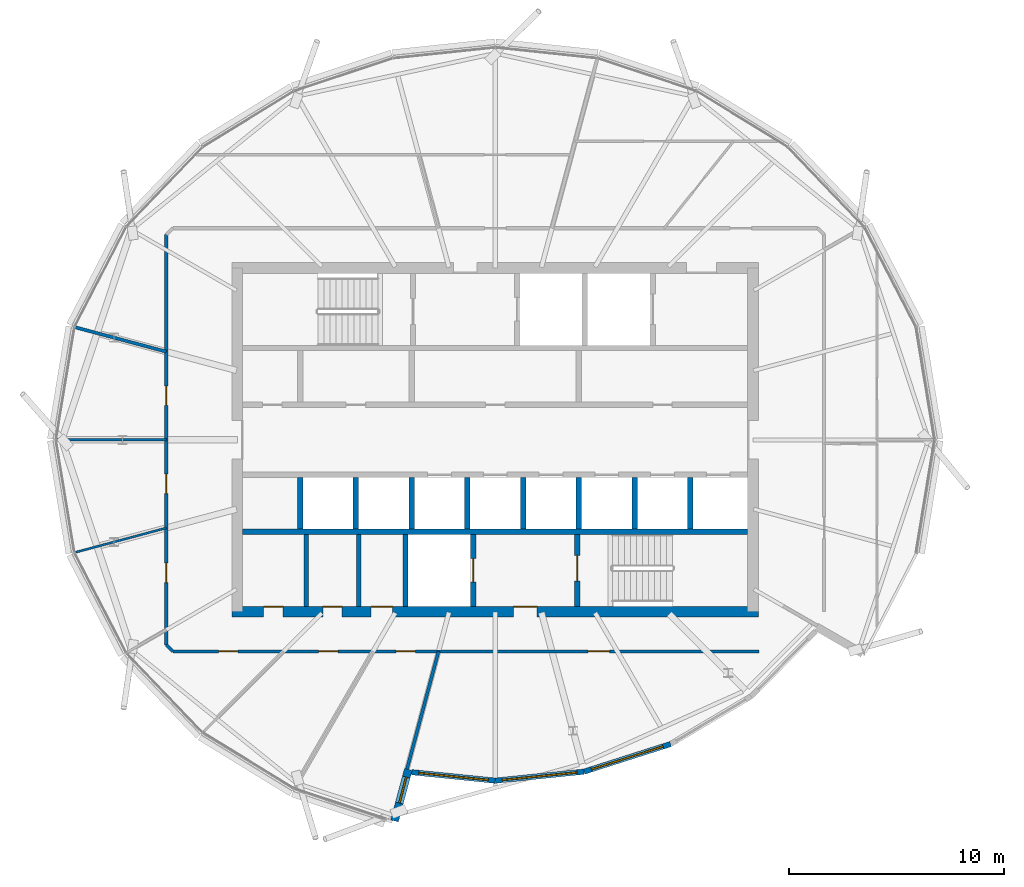
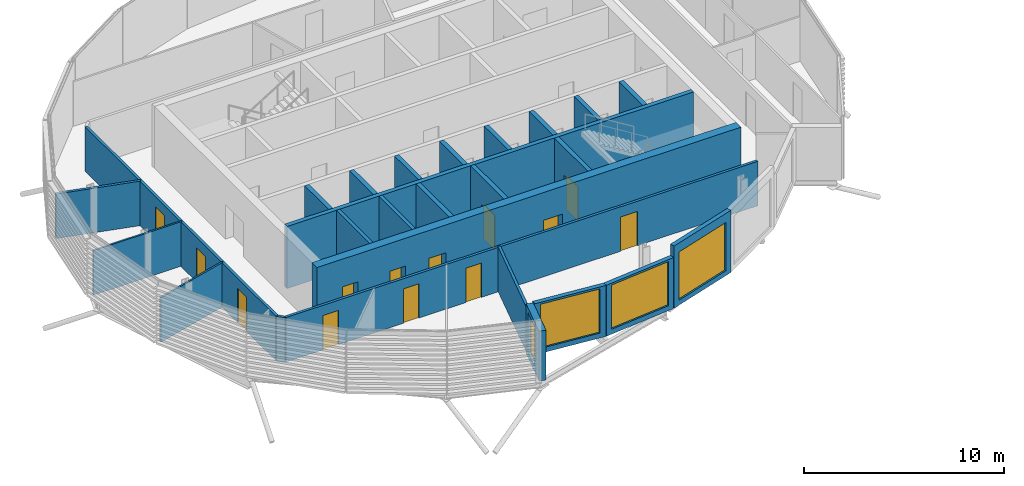
# One storey, part 17 of 33: 26 walls, 13 doors, 4 windows, 17 openings.
"""IFC4 building model written with IfcOpenShell, lengths in metres."""

from ifc_helpers import new_model, si_unit, direction, frame, frame_2d, origin, place, context, subcontext, project, spatial, rectangle, extrude, material, layer, layer_set, type_object, element, fill, save


model = new_model("IFC4")

# Units and contexts
model_context = context("Model", 3, precision=1e-05, world=origin(), true_north=direction((0.0, 1.0)))
body_context = subcontext(model_context, "Body", "Model", "MODEL_VIEW")
ifc_project = project(units=[si_unit("LENGTHUNIT", "METRE"), si_unit("AREAUNIT", "SQUARE_METRE"), si_unit("VOLUMEUNIT", "CUBIC_METRE"), si_unit("PLANEANGLEUNIT", "RADIAN"), si_unit("MASSUNIT", "GRAM", prefix="KILO")], contexts=[model_context])

# Site, building, storey
site_placement = place(None, origin())
site = spatial("IfcSite", under=ifc_project, at=site_placement, CompositionType="ELEMENT")
building_placement = place(site_placement, origin())
building = spatial("IfcBuilding", under=site, at=building_placement, Name="Rimbun Link Towers", CompositionType="ELEMENT")
storey_placement = place(building_placement, frame((0.0, 0.0, 240.89990234375)))
storey = spatial("IfcBuildingStorey", under=building, at=storey_placement, Name="L59", CompositionType="ELEMENT", Elevation=240.89990234375)

# Wall, opening, window
ifc_material_1 = material(Name="Dark enamelled glass spandrel on insulated aluminium backpan", Category="aluminium")
ifc_layer_1 = layer(ifc_material_1, 0.25)
ifc_layer_set_1 = layer_set([ifc_layer_1], Name="CS dark enamelled spandrel wall 250")
wall_type_1 = type_object("IfcWallType", Name="CS dark enamelled spandrel wall 250", PredefinedType="STANDARD", material=ifc_layer_set_1)
wall_1_placement = place(storey_placement, frame((-31.75, -15.862548828125, 0.0), z_axis=(0.0, 0.0, 1.0), x_axis=(-0.994917663839, 0.100691817844, 0.0)))
wall_1 = element("IfcWall", 1, at=wall_1_placement, inside=storey, type_object=wall_type_1, Name="Crease spandrel wall", PredefinedType="STANDARD", context=body_context, shape_type="SweptSolid", body=[
    extrude(rectangle(XDim=3.906005859375, YDim=0.25, at=frame_2d((1.953125, 0.0))), origin(), (0.0, 0.0, 1.0), 3.1171875),
])
opening_1_placement = place(wall_1_placement, frame((0.328125, 0.0, 0.300048828125)))
opening_1 = element("IfcOpeningElement", 2, at=opening_1_placement, cuts=wall_1, Name="Opening WR32H270", PredefinedType="OPENING", context=body_context, shape_type="SweptSolid", body=[
    extrude(rectangle(XDim=3.25, YDim=2.699951171875, at=frame_2d((1.625, 1.35009765625))), frame((0.0, 0.135009765625, 0.0), z_axis=(0.0, -1.0, 0.0), x_axis=(1.0, 0.0, 0.0)), (0.0, 0.0, 1.0), 0.27001953125),
])
ifc_material_2 = material(Name="Aluminium framed fixed window, dark tinted low-e glass", Category="aluminium")
window_type_1 = type_object("IfcWindowType", Name="WR ribbon window 3250X2700", PartitioningType="SINGLE_PANEL", PredefinedType="WINDOW", material=ifc_material_2)
window_1_placement = place(opening_1_placement, origin())
window_1 = element("IfcWindow", 3, at=window_1_placement, inside=storey, type_object=window_type_1, Name="Crease ribbon window", OverallHeight=2.699951171875, OverallWidth=3.25, PartitioningType="SINGLE_PANEL", PredefinedType="WINDOW", context=body_context, shape_type="SweptSolid", body=[
    extrude(rectangle(XDim=3.25, YDim=2.699951171875, at=frame_2d((1.625, 1.35009765625))), frame((0.0, 0.030029296875, 0.0), z_axis=(0.0, -1.0, 0.0), x_axis=(1.0, 0.0, 0.0)), (0.0, 0.0, 1.0), 0.06005859375),
])
fill(opening_1, window_1)

wall_2_placement = place(storey_placement, frame((-27.619140625, -15.444580078125, 0.0), z_axis=(0.0, 0.0, 1.0), x_axis=(-0.994920070472, -0.100668035499, 0.0)))
wall_2 = element("IfcWall", 4, at=wall_2_placement, inside=storey, type_object=wall_type_1, Name="Crease spandrel wall", PredefinedType="STANDARD", context=body_context, shape_type="SweptSolid", body=[
    extrude(rectangle(XDim=4.15185546875, YDim=0.25, at=frame_2d((2.075927734375, 0.0))), origin(), (0.0, 0.0, 1.0), 3.1171875),
])
opening_2_placement = place(wall_2_placement, frame((0.325927734375, 0.0, 0.300048828125)))
opening_2 = element("IfcOpeningElement", 5, at=opening_2_placement, cuts=wall_2, Name="Opening WR35H270", PredefinedType="OPENING", context=body_context, shape_type="SweptSolid", body=[
    extrude(rectangle(XDim=3.5, YDim=2.699951171875, at=frame_2d((1.75, 1.35009765625))), frame((0.0, 0.135009765625, 0.0), z_axis=(0.0, -1.0, 0.0), x_axis=(1.0, 0.0, 0.0)), (0.0, 0.0, 1.0), 0.27001953125),
])
ifc_material_3 = material(Name="Aluminium framed fixed window, dark tinted low-e glass", Category="aluminium")
window_type_2 = type_object("IfcWindowType", Name="WR ribbon window 3500X2700", PartitioningType="SINGLE_PANEL", PredefinedType="WINDOW", material=ifc_material_3)
window_2_placement = place(opening_2_placement, origin())
window_2 = element("IfcWindow", 6, at=window_2_placement, inside=storey, type_object=window_type_2, Name="Crease ribbon window", OverallHeight=2.699951171875, OverallWidth=3.5, PartitioningType="SINGLE_PANEL", PredefinedType="WINDOW", context=body_context, shape_type="SweptSolid", body=[
    extrude(rectangle(XDim=3.5, YDim=2.699951171875, at=frame_2d((1.75, 1.35009765625))), frame((0.0, 0.030029296875, 0.0), z_axis=(0.0, -1.0, 0.0), x_axis=(1.0, 0.0, 0.0)), (0.0, 0.0, 1.0), 0.06005859375),
])
fill(opening_2, window_2)

wall_3_placement = place(storey_placement, frame((-23.58984375, -14.159423828125, 0.0), z_axis=(0.0, 0.0, 1.0), x_axis=(-0.952713269999, -0.303870737596, 0.0)))
wall_3 = element("IfcWall", 7, at=wall_3_placement, inside=storey, type_object=wall_type_1, Name="Crease spandrel wall", PredefinedType="STANDARD", context=body_context, shape_type="SweptSolid", body=[
    extrude(rectangle(XDim=4.229248046875, YDim=0.25, at=frame_2d((2.11474609375, 0.0))), origin(), (0.0, 0.0, 1.0), 3.800048828125),
])
opening_3_placement = place(wall_3_placement, frame((0.364501953125, 0.0, 0.300048828125)))
opening_3 = element("IfcOpeningElement", 8, at=opening_3_placement, cuts=wall_3, Name="Opening WR35H295", PredefinedType="OPENING", context=body_context, shape_type="SweptSolid", body=[
    extrude(rectangle(XDim=3.5, YDim=2.949951171875, at=frame_2d((1.75, 1.47509765625))), frame((0.0, 0.135009765625, 0.0), z_axis=(0.0, -1.0, 0.0), x_axis=(1.0, 0.0, 0.0)), (0.0, 0.0, 1.0), 0.27001953125),
])
ifc_material_4 = material(Name="Aluminium framed fixed window, dark tinted low-e glass", Category="aluminium")
window_type_3 = type_object("IfcWindowType", Name="WR ribbon window 3500X2950", PartitioningType="SINGLE_PANEL", PredefinedType="WINDOW", material=ifc_material_4)
window_3_placement = place(opening_3_placement, origin())
window_3 = element("IfcWindow", 9, at=window_3_placement, inside=storey, type_object=window_type_3, Name="Crease ribbon window", OverallHeight=2.949951171875, OverallWidth=3.5, PartitioningType="SINGLE_PANEL", PredefinedType="WINDOW", context=body_context, shape_type="SweptSolid", body=[
    extrude(rectangle(XDim=3.5, YDim=2.949951171875, at=frame_2d((1.75, 1.47509765625))), frame((0.0, 0.030029296875, 0.0), z_axis=(0.0, -1.0, 0.0), x_axis=(1.0, 0.0, 0.0)), (0.0, 0.0, 1.0), 0.06005859375),
])
fill(opening_3, window_3)

ifc_material_5 = material(Name="Dark enamelled glass spandrel on insulated aluminium backpan", Category="aluminium")
ifc_layer_2 = layer(ifc_material_5, 0.3701171875)
ifc_layer_set_2 = layer_set([ifc_layer_2], Name="CS dark enamelled spandrel wall 370")
wall_type_2 = type_object("IfcWallType", Name="CS dark enamelled spandrel wall 370", PredefinedType="STANDARD", material=ifc_layer_set_2)
wall_4_placement = place(storey_placement, frame((-35.792724609375, -15.33837890625, 0.0), z_axis=(0.0, 0.0, 1.0), x_axis=(-0.258716401805, -0.965953323633, 0.0)))
wall_4 = element("IfcWall", 10, at=wall_4_placement, inside=storey, type_object=wall_type_2, Name="Crease spandrel wall", PredefinedType="STANDARD", context=body_context, shape_type="SweptSolid", body=[
    extrude(rectangle(XDim=2.47998046875, YDim=0.3701171875, at=frame_2d((1.239990234375, 0.0))), origin(), (0.0, 0.0, 1.0), 3.047607421875),
])
opening_4_placement = place(wall_4_placement, frame((0.36962890625, 0.0, 0.300048828125)))
opening_4 = element("IfcOpeningElement", 11, at=opening_4_placement, cuts=wall_4, Name="Opening WR12H245", PredefinedType="OPENING", context=body_context, shape_type="SweptSolid", body=[
    extrude(rectangle(XDim=1.25, YDim=2.449951171875, at=frame_2d((0.625, 1.22509765625))), frame((0.0, 0.195068359375, 0.0), z_axis=(0.0, -1.0, 0.0), x_axis=(1.0, 0.0, 0.0)), (0.0, 0.0, 1.0), 0.39013671875),
])
ifc_material_6 = material(Name="Aluminium framed fixed window, dark tinted low-e glass", Category="aluminium")
window_type_4 = type_object("IfcWindowType", Name="WR ribbon window 1250X2450", PartitioningType="SINGLE_PANEL", PredefinedType="WINDOW", material=ifc_material_6)
window_4_placement = place(opening_4_placement, origin())
window_4 = element("IfcWindow", 12, at=window_4_placement, inside=storey, type_object=window_type_4, Name="Crease ribbon window", OverallHeight=2.449951171875, OverallWidth=1.25, PartitioningType="SINGLE_PANEL", PredefinedType="WINDOW", context=body_context, shape_type="SweptSolid", body=[
    extrude(rectangle(XDim=1.25, YDim=2.449951171875, at=frame_2d((0.625, 1.22509765625))), frame((0.0, 0.030029296875, 0.0), z_axis=(0.0, -1.0, 0.0), x_axis=(1.0, 0.0, 0.0)), (0.0, 0.0, 1.0), 0.06005859375),
])
fill(opening_4, window_4)

# Walls
ifc_material_7 = material(Name="Masonry blockwork", Category="masonry")
ifc_layer_3 = layer(ifc_material_7, 0.199951171875)
ifc_layer_set_3 = layer_set([ifc_layer_3], Name="Core partition 200")
wall_type_3 = type_object("IfcWallType", Name="Core partition 200", PredefinedType="PARTITIONING", material=ifc_layer_set_3)
for number, where, z_axis, x_axis, name in (
    (13, (-40.550048828125, -4.39990234375, 0.0), (0.0, 0.0, 1.0), (0.0, -1.0, 0.0), "L59 T1 core wall C1"),
    (14, (-38.10009765625, -4.39990234375, 0.0), (0.0, 0.0, 1.0), (0.0, -1.0, 0.0), "L59 T1 core wall C2"),
):
    element("IfcWall", number, at=place(storey_placement, frame(where, z_axis=z_axis, x_axis=x_axis)), inside=storey, type_object=wall_type_3, Name=name, PredefinedType="PARTITIONING", context=body_context, shape_type="SweptSolid", body=[
        extrude(rectangle(XDim=3.35009765625, YDim=0.199951171875, at=frame_2d((1.675048828125, 0.0))), origin(), (0.0, 0.0, 1.0), 3.800048828125),
    ])

# Wall, openings, doors
ifc_material_8 = material(Name="Concrete C60/75", Category="concrete")
ifc_layer_4 = layer(ifc_material_8, 0.5)
ifc_layer_set_4 = layer_set([ifc_layer_4], Name="Core shear wall 500")
wall_type_4 = type_object("IfcWallType", Name="Core shear wall 500", PredefinedType="SHEAR", material=ifc_layer_set_4)
wall_5_placement = place(storey_placement, frame((-44.0, -8.0, 0.0), z_axis=(0.0, 0.0, 1.0), x_axis=(1.0, 0.0, 0.0)))
wall_5 = element("IfcWall", 15, at=wall_5_placement, inside=storey, type_object=wall_type_4, Name="L59 T1 core wall S", PredefinedType="SHEAR", context=body_context, shape_type="SweptSolid", body=[
    extrude(rectangle(XDim=24.5, YDim=0.5, at=frame_2d((12.25, 0.0))), origin(), (0.0, 0.0, 1.0), 3.800048828125),
])
opening_5_placement = place(wall_5_placement, frame((13.10009765625, 0.0, 0.0)))
opening_5 = element("IfcOpeningElement", 16, at=opening_5_placement, cuts=wall_5, Name="Opening C1DCF01S", PredefinedType="OPENING", context=body_context, shape_type="SweptSolid", body=[
    extrude(rectangle(XDim=1.10009765625, YDim=2.10009765625, at=frame_2d((0.550048828125, 1.050048828125))), frame((0.0, 0.260009765625, 0.0), z_axis=(0.0, -1.0, 0.0), x_axis=(1.0, 0.0, 0.0)), (0.0, 0.0, 1.0), 0.52001953125),
])
opening_6_placement = place(wall_5_placement, frame((1.47509765625, 0.0, 0.0)))
opening_6 = element("IfcOpeningElement", 17, at=opening_6_placement, cuts=wall_5, Name="Opening C1DWC02S", PredefinedType="OPENING", context=body_context, shape_type="SweptSolid", body=[
    extrude(rectangle(XDim=0.89990234375, YDim=2.10009765625, at=frame_2d((0.449951171875, 1.050048828125))), frame((0.0, 0.260009765625, 0.0), z_axis=(0.0, -1.0, 0.0), x_axis=(1.0, 0.0, 0.0)), (0.0, 0.0, 1.0), 0.52001953125),
])
opening_7_placement = place(wall_5_placement, frame((4.22509765625, 0.0, 0.0)))
opening_7 = element("IfcOpeningElement", 18, at=opening_7_placement, cuts=wall_5, Name="Opening C1DWC03S", PredefinedType="OPENING", context=body_context, shape_type="SweptSolid", body=[
    extrude(rectangle(XDim=0.89990234375, YDim=2.10009765625, at=frame_2d((0.449951171875, 1.050048828125))), frame((0.0, 0.260009765625, 0.0), z_axis=(0.0, -1.0, 0.0), x_axis=(1.0, 0.0, 0.0)), (0.0, 0.0, 1.0), 0.52001953125),
])
opening_8_placement = place(wall_5_placement, frame((6.47509765625, 0.0, 0.0)))
opening_8 = element("IfcOpeningElement", 19, at=opening_8_placement, cuts=wall_5, Name="Opening C1DAW04S", PredefinedType="OPENING", context=body_context, shape_type="SweptSolid", body=[
    extrude(rectangle(XDim=1.0, YDim=2.10009765625, at=frame_2d((0.5, 1.050048828125))), frame((0.0, 0.260009765625, 0.0), z_axis=(0.0, -1.0, 0.0), x_axis=(1.0, 0.0, 0.0)), (0.0, 0.0, 1.0), 0.52001953125),
])
ifc_material_9 = material(Name="Timber", Category="wood")
door_type_1 = type_object("IfcDoorType", Name="Accessible WC door", OperationType="SINGLE_SWING_LEFT", PredefinedType="DOOR", material=ifc_material_9)
door_1_placement = place(opening_8_placement, origin())
door_1 = element("IfcDoor", 20, at=door_1_placement, inside=storey, type_object=door_type_1, Name="L59 T1 accessible wc door", OperationType="SINGLE_SWING_RIGHT", OverallHeight=2.10009765625, OverallWidth=1.0, PredefinedType="DOOR", context=body_context, shape_type="SweptSolid", body=[
    extrude(rectangle(XDim=1.0, YDim=2.10009765625, at=frame_2d((0.5, 1.050048828125))), frame((0.0, 0.25, 0.0), z_axis=(0.0, -1.0, 0.0), x_axis=(1.0, 0.0, 0.0)), (0.0, 0.0, 1.0), 0.050048828125),
])
fill(opening_8, door_1)
ifc_material_10 = material(Name="Steel fire door set", Category="steel")
door_type_2 = type_object("IfcDoorType", Name="Core fire door single", OperationType="SINGLE_SWING_LEFT", PredefinedType="DOOR", material=ifc_material_10)
door_2_placement = place(opening_5_placement, origin())
door_2 = element("IfcDoor", 21, at=door_2_placement, inside=storey, type_object=door_type_2, Name="L59 T1 firefighting lobby s door", OperationType="SINGLE_SWING_RIGHT", OverallHeight=2.10009765625, OverallWidth=1.10009765625, PredefinedType="DOOR", context=body_context, shape_type="SweptSolid", body=[
    extrude(rectangle(XDim=1.10009765625, YDim=2.10009765625, at=frame_2d((0.550048828125, 1.050048828125))), frame((0.0, 0.25, 0.0), z_axis=(0.0, -1.0, 0.0), x_axis=(1.0, 0.0, 0.0)), (0.0, 0.0, 1.0), 0.050048828125),
])
fill(opening_5, door_2)
ifc_material_11 = material(Name="Timber", Category="wood")
door_type_3 = type_object("IfcDoorType", Name="WC door", OperationType="SINGLE_SWING_LEFT", PredefinedType="DOOR", material=ifc_material_11)
door_3_placement = place(opening_6_placement, origin())
door_3 = element("IfcDoor", 22, at=door_3_placement, inside=storey, type_object=door_type_3, Name="L59 T1 male wc door", OperationType="SINGLE_SWING_RIGHT", OverallHeight=2.10009765625, OverallWidth=0.89990234375, PredefinedType="DOOR", context=body_context, shape_type="SweptSolid", body=[
    extrude(rectangle(XDim=0.89990234375, YDim=2.10009765625, at=frame_2d((0.449951171875, 1.050048828125))), frame((0.0, 0.25, 0.0), z_axis=(0.0, -1.0, 0.0), x_axis=(1.0, 0.0, 0.0)), (0.0, 0.0, 1.0), 0.050048828125),
])
fill(opening_6, door_3)
door_4_placement = place(opening_7_placement, origin())
door_4 = element("IfcDoor", 23, at=door_4_placement, inside=storey, type_object=door_type_3, Name="L59 T1 female wc door", OperationType="SINGLE_SWING_RIGHT", OverallHeight=2.10009765625, OverallWidth=0.89990234375, PredefinedType="DOOR", context=body_context, shape_type="SweptSolid", body=[
    extrude(rectangle(XDim=0.89990234375, YDim=2.10009765625, at=frame_2d((0.449951171875, 1.050048828125))), frame((0.0, 0.25, 0.0), z_axis=(0.0, -1.0, 0.0), x_axis=(1.0, 0.0, 0.0)), (0.0, 0.0, 1.0), 0.050048828125),
])
fill(opening_7, door_4)

ifc_material_12 = material(Name="Plasterboard on steel stud, mineral wool", Category="steel")
ifc_layer_5 = layer(ifc_material_12, 0.14990234375)
ifc_layer_set_5 = layer_set([ifc_layer_5], Name="Corridor wall EI 30 150 mm")
wall_type_5 = type_object("IfcWallType", Name="Corridor wall EI 30 150 mm", PredefinedType="PARTITIONING", material=ifc_layer_set_5)
wall_6_placement = place(storey_placement, frame((-19.467041015625, -9.844970703125, 0.0), z_axis=(0.0, 0.0, 1.0), x_axis=(-1.0, 0.0, 0.0)))
wall_6 = element("IfcWall", 24, at=wall_6_placement, inside=storey, type_object=wall_type_5, Name="Corridor wall EI 30 150 mm", PredefinedType="PARTITIONING", context=body_context, shape_type="SweptSolid", body=[
    extrude(rectangle(XDim=27.28662109375, YDim=0.14990234375, at=frame_2d((13.643310546875, 0.0))), origin(), (0.0, 0.0, 1.0), 2.72216796875),
])
opening_9_placement = place(wall_6_placement, frame((24.25732421875, 0.0, 0.0)))
opening_9 = element("IfcOpeningElement", 25, at=opening_9_placement, cuts=wall_6, Name="Opening D02", PredefinedType="OPENING", context=body_context, shape_type="SweptSolid", body=[
    extrude(rectangle(XDim=0.89990234375, YDim=2.10009765625, at=frame_2d((0.449951171875, 1.050048828125))), frame((0.0, 0.0849609375, 0.0), z_axis=(0.0, -1.0, 0.0), x_axis=(1.0, 0.0, 0.0)), (0.0, 0.0, 1.0), 0.169921875),
])
opening_10_placement = place(wall_6_placement, frame((19.597412109375, 0.0, 0.0)))
opening_10 = element("IfcOpeningElement", 26, at=opening_10_placement, cuts=wall_6, Name="Opening D02", PredefinedType="OPENING", context=body_context, shape_type="SweptSolid", body=[
    extrude(rectangle(XDim=0.89990234375, YDim=2.10009765625, at=frame_2d((0.449951171875, 1.050048828125))), frame((0.0, 0.0849609375, 0.0), z_axis=(0.0, -1.0, 0.0), x_axis=(1.0, 0.0, 0.0)), (0.0, 0.0, 1.0), 0.169921875),
])
opening_11_placement = place(wall_6_placement, frame((15.993896484375, 0.0, 0.0)))
opening_11 = element("IfcOpeningElement", 27, at=opening_11_placement, cuts=wall_6, Name="Opening D02", PredefinedType="OPENING", context=body_context, shape_type="SweptSolid", body=[
    extrude(rectangle(XDim=0.89990234375, YDim=2.10009765625, at=frame_2d((0.449951171875, 1.050048828125))), frame((0.0, 0.0849609375, 0.0), z_axis=(0.0, -1.0, 0.0), x_axis=(1.0, 0.0, 0.0)), (0.0, 0.0, 1.0), 0.169921875),
])
opening_12_placement = place(wall_6_placement, frame((6.96044921875, 0.0, 0.0)))
opening_12 = element("IfcOpeningElement", 28, at=opening_12_placement, cuts=wall_6, Name="Opening D01", PredefinedType="OPENING", context=body_context, shape_type="SweptSolid", body=[
    extrude(rectangle(XDim=1.0, YDim=2.10009765625, at=frame_2d((0.5, 1.050048828125))), frame((0.0, 0.0849609375, 0.0), z_axis=(0.0, -1.0, 0.0), x_axis=(1.0, 0.0, 0.0)), (0.0, 0.0, 1.0), 0.169921875),
])
ifc_material_13 = material(Name="Fire-resisting timber door leaf", Category="wood")
door_type_4 = type_object("IfcDoorType", Name="Fire door FD30S 1000", OperationType="NOTDEFINED", PredefinedType="DOOR", material=ifc_material_13)
door_5_placement = place(opening_12_placement, origin())
door_5 = element("IfcDoor", 29, at=door_5_placement, inside=storey, type_object=door_type_4, Name="Fire door FD30S 1000 to Terrace office", OperationType="SINGLE_SWING_RIGHT", OverallHeight=2.10009765625, OverallWidth=1.0, PredefinedType="DOOR", context=body_context, shape_type="SweptSolid", body=[
    extrude(rectangle(XDim=1.0, YDim=2.10009765625, at=frame_2d((0.5, 1.050048828125))), frame((0.0, 0.02490234375, 0.0), z_axis=(0.0, -1.0, 0.0), x_axis=(1.0, 0.0, 0.0)), (0.0, 0.0, 1.0), 0.050048828125),
])
fill(opening_12, door_5)
ifc_material_14 = material(Name="Fire-resisting timber door leaf", Category="wood")
door_type_5 = type_object("IfcDoorType", Name="Fire door FD30S 900", OperationType="NOTDEFINED", PredefinedType="DOOR", material=ifc_material_14)
door_6_placement = place(opening_9_placement, origin())
door_6 = element("IfcDoor", 30, at=door_6_placement, inside=storey, type_object=door_type_5, Name="Fire door FD30S 900 to Boardroom", OperationType="SINGLE_SWING_LEFT", OverallHeight=2.10009765625, OverallWidth=0.89990234375, PredefinedType="DOOR", context=body_context, shape_type="SweptSolid", body=[
    extrude(rectangle(XDim=0.89990234375, YDim=2.10009765625, at=frame_2d((0.449951171875, 1.050048828125))), frame((0.0, 0.02490234375, 0.0), z_axis=(0.0, -1.0, 0.0), x_axis=(1.0, 0.0, 0.0)), (0.0, 0.0, 1.0), 0.050048828125),
])
fill(opening_9, door_6)
door_7_placement = place(opening_10_placement, origin())
door_7 = element("IfcDoor", 31, at=door_7_placement, inside=storey, type_object=door_type_5, Name="Fire door FD30S 900 to Meeting room", OperationType="SINGLE_SWING_RIGHT", OverallHeight=2.10009765625, OverallWidth=0.89990234375, PredefinedType="DOOR", context=body_context, shape_type="SweptSolid", body=[
    extrude(rectangle(XDim=0.89990234375, YDim=2.10009765625, at=frame_2d((0.449951171875, 1.050048828125))), frame((0.0, 0.02490234375, 0.0), z_axis=(0.0, -1.0, 0.0), x_axis=(1.0, 0.0, 0.0)), (0.0, 0.0, 1.0), 0.050048828125),
])
fill(opening_10, door_7)
door_8_placement = place(opening_11_placement, origin())
door_8 = element("IfcDoor", 32, at=door_8_placement, inside=storey, type_object=door_type_5, Name="Fire door FD30S 900 to Executive office", OperationType="SINGLE_SWING_LEFT", OverallHeight=2.10009765625, OverallWidth=0.89990234375, PredefinedType="DOOR", context=body_context, shape_type="SweptSolid", body=[
    extrude(rectangle(XDim=0.89990234375, YDim=2.10009765625, at=frame_2d((0.449951171875, 1.050048828125))), frame((0.0, 0.02490234375, 0.0), z_axis=(0.0, -1.0, 0.0), x_axis=(1.0, 0.0, 0.0)), (0.0, 0.0, 1.0), 0.050048828125),
])
fill(opening_11, door_8)

# Wall
wall_7_placement = place(storey_placement, frame((-47.054931640625, -9.543701171875, 0.0), z_axis=(0.0, 0.0, 1.0), x_axis=(0.707106781187, -0.707106781187, 0.0)))
element("IfcWall", 33, at=wall_7_placement, inside=storey, type_object=wall_type_5, Name="Corridor wall EI 30 150 mm", PredefinedType="PARTITIONING", context=body_context, shape_type="SweptSolid", body=[
    extrude(rectangle(XDim=0.426025390625, YDim=0.14990234375, at=frame_2d((0.212890625, 0.0))), origin(), (0.0, 0.0, 1.0), 2.72216796875),
])

# Wall, openings, doors
wall_8_placement = place(storey_placement, frame((-47.054931640625, -9.543701171875, 0.0), z_axis=(0.0, 0.0, 1.0), x_axis=(0.0, 1.0, 0.0)))
wall_8 = element("IfcWall", 34, at=wall_8_placement, inside=storey, type_object=wall_type_5, Name="Corridor wall EI 30 150 mm", PredefinedType="PARTITIONING", context=body_context, shape_type="SweptSolid", body=[
    extrude(rectangle(XDim=19.08740234375, YDim=0.14990234375, at=frame_2d((9.543701171875, 0.0))), origin(), (0.0, 0.0, 1.0), 2.72216796875),
])
opening_13_placement = place(wall_8_placement, frame((11.144287109375, 0.0, 0.0)))
opening_13 = element("IfcOpeningElement", 35, at=opening_13_placement, cuts=wall_8, Name="Opening D02", PredefinedType="OPENING", context=body_context, shape_type="SweptSolid", body=[
    extrude(rectangle(XDim=0.89990234375, YDim=2.10009765625, at=frame_2d((0.449951171875, 1.050048828125))), frame((0.0, 0.0849609375, 0.0), z_axis=(0.0, -1.0, 0.0), x_axis=(1.0, 0.0, 0.0)), (0.0, 0.0, 1.0), 0.169921875),
])
opening_14_placement = place(wall_8_placement, frame((7.043212890625, 0.0, 0.0)))
opening_14 = element("IfcOpeningElement", 36, at=opening_14_placement, cuts=wall_8, Name="Opening D02", PredefinedType="OPENING", context=body_context, shape_type="SweptSolid", body=[
    extrude(rectangle(XDim=0.89990234375, YDim=2.10009765625, at=frame_2d((0.449951171875, 1.050048828125))), frame((0.0, 0.0849609375, 0.0), z_axis=(0.0, -1.0, 0.0), x_axis=(1.0, 0.0, 0.0)), (0.0, 0.0, 1.0), 0.169921875),
])
opening_15_placement = place(wall_8_placement, frame((2.9033203125, 0.0, 0.0)))
opening_15 = element("IfcOpeningElement", 37, at=opening_15_placement, cuts=wall_8, Name="Opening D02", PredefinedType="OPENING", context=body_context, shape_type="SweptSolid", body=[
    extrude(rectangle(XDim=0.89990234375, YDim=2.10009765625, at=frame_2d((0.449951171875, 1.050048828125))), frame((0.0, 0.0849609375, 0.0), z_axis=(0.0, -1.0, 0.0), x_axis=(1.0, 0.0, 0.0)), (0.0, 0.0, 1.0), 0.169921875),
])
door_9_placement = place(opening_13_placement, origin())
door_9 = element("IfcDoor", 38, at=door_9_placement, inside=storey, type_object=door_type_5, Name="Fire door FD30S 900 to Meeting room", OperationType="SINGLE_SWING_RIGHT", OverallHeight=2.10009765625, OverallWidth=0.89990234375, PredefinedType="DOOR", context=body_context, shape_type="SweptSolid", body=[
    extrude(rectangle(XDim=0.89990234375, YDim=2.10009765625, at=frame_2d((0.449951171875, 1.050048828125))), frame((0.0, 0.02490234375, 0.0), z_axis=(0.0, -1.0, 0.0), x_axis=(1.0, 0.0, 0.0)), (0.0, 0.0, 1.0), 0.050048828125),
])
fill(opening_13, door_9)
door_10_placement = place(opening_14_placement, origin())
door_10 = element("IfcDoor", 39, at=door_10_placement, inside=storey, type_object=door_type_5, Name="Fire door FD30S 900 to Executive office", OperationType="SINGLE_SWING_LEFT", OverallHeight=2.10009765625, OverallWidth=0.89990234375, PredefinedType="DOOR", context=body_context, shape_type="SweptSolid", body=[
    extrude(rectangle(XDim=0.89990234375, YDim=2.10009765625, at=frame_2d((0.449951171875, 1.050048828125))), frame((0.0, 0.02490234375, 0.0), z_axis=(0.0, -1.0, 0.0), x_axis=(1.0, 0.0, 0.0)), (0.0, 0.0, 1.0), 0.050048828125),
])
fill(opening_14, door_10)
door_11_placement = place(opening_15_placement, origin())
door_11 = element("IfcDoor", 40, at=door_11_placement, inside=storey, type_object=door_type_5, Name="Fire door FD30S 900 to Open office", OperationType="SINGLE_SWING_RIGHT", OverallHeight=2.10009765625, OverallWidth=0.89990234375, PredefinedType="DOOR", context=body_context, shape_type="SweptSolid", body=[
    extrude(rectangle(XDim=0.89990234375, YDim=2.10009765625, at=frame_2d((0.449951171875, 1.050048828125))), frame((0.0, 0.02490234375, 0.0), z_axis=(0.0, -1.0, 0.0), x_axis=(1.0, 0.0, 0.0)), (0.0, 0.0, 1.0), 0.050048828125),
])
fill(opening_15, door_11)

# Walls
ifc_material_15 = material(Name="Plasterboard on steel stud", Category="steel")
ifc_layer_6 = layer(ifc_material_15, 0.10009765625)
ifc_layer_set_6 = layer_set([ifc_layer_6], Name="Plasterboard partition 100 mm")
wall_type_6 = type_object("IfcWallType", Name="Plasterboard partition 100 mm", PredefinedType="PARTITIONING", material=ifc_layer_set_6)
wall_9_placement = place(storey_placement, frame((-52.17529296875, 0.0, 0.0), z_axis=(0.0, 0.0, 1.0), x_axis=(1.0, 0.0, 0.0)))
element("IfcWall", 41, at=wall_9_placement, inside=storey, type_object=wall_type_6, Name="Plasterboard partition 100 mm", PredefinedType="PARTITIONING", context=body_context, shape_type="SweptSolid", body=[
    extrude(rectangle(XDim=5.120361328125, YDim=0.10009765625, at=frame_2d((2.56005859375, 0.0))), origin(), (0.0, 0.0, 1.0), 2.72216796875),
])
wall_10_placement = place(storey_placement, frame((-51.313232421875, -5.241943359375, 0.0), z_axis=(0.0, 0.0, 1.0), x_axis=(0.965933714886, 0.258789602664, 0.0)))
element("IfcWall", 42, at=wall_10_placement, inside=storey, type_object=wall_type_6, Name="Plasterboard partition 100 mm", PredefinedType="PARTITIONING", context=body_context, shape_type="SweptSolid", body=[
    extrude(rectangle(XDim=4.408447265625, YDim=0.10009765625, at=frame_2d((2.2041015625, 0.0))), origin(), (0.0, 0.0, 1.0), 2.72216796875),
])
ifc_material_16 = material(Name="Concrete C60/75", Category="concrete")
ifc_layer_7 = layer(ifc_material_16, 0.25)
ifc_layer_set_7 = layer_set([ifc_layer_7], Name="Shaft wall 250")
wall_type_7 = type_object("IfcWallType", Name="Shaft wall 250", PredefinedType="SHEAR", material=ifc_layer_set_7)
wall_11_placement = place(storey_placement, frame((-43.5, -4.27490234375, 0.0), z_axis=(0.0, 0.0, 1.0), x_axis=(1.0, 0.0, 0.0)))
element("IfcWall", 43, at=wall_11_placement, inside=storey, type_object=wall_type_7, Name="L59 T1 core wall BS", PredefinedType="SHEAR", context=body_context, shape_type="SweptSolid", body=[
    extrude(rectangle(XDim=23.5, YDim=0.25, at=frame_2d((11.75, 0.0))), origin(), (0.0, 0.0, 1.0), 3.800048828125),
])
for number, where, z_axis, x_axis, name in (
    (44, (-40.83056640625, -4.14990234375, 0.0), (0.0, 0.0, 1.0), (0.0, 1.0, 0.0), "L59 T1 core wall DS0"),
    (45, (-38.236083984375, -4.14990234375, 0.0), (0.0, 0.0, 1.0), (0.0, 1.0, 0.0), "L59 T1 core wall DS1"),
    (46, (-35.6416015625, -4.14990234375, 0.0), (0.0, 0.0, 1.0), (0.0, 1.0, 0.0), "L59 T1 core wall DS2"),
    (47, (-33.047119140625, -4.14990234375, 0.0), (0.0, 0.0, 1.0), (0.0, 1.0, 0.0), "L59 T1 core wall DS3"),
    (48, (-30.452880859375, -4.14990234375, 0.0), (0.0, 0.0, 1.0), (0.0, 1.0, 0.0), "L59 T1 core wall DS4"),
    (49, (-27.8583984375, -4.14990234375, 0.0), (0.0, 0.0, 1.0), (0.0, 1.0, 0.0), "L59 T1 core wall DS5"),
    (50, (-25.263916015625, -4.14990234375, 0.0), (0.0, 0.0, 1.0), (0.0, 1.0, 0.0), "L59 T1 core wall DS6"),
    (51, (-22.66943359375, -4.14990234375, 0.0), (0.0, 0.0, 1.0), (0.0, 1.0, 0.0), "L59 T1 core wall DS7"),
):
    element("IfcWall", number, at=place(storey_placement, frame(where, z_axis=z_axis, x_axis=x_axis)), inside=storey, type_object=wall_type_7, Name=name, PredefinedType="SHEAR", context=body_context, shape_type="SweptSolid", body=[
        extrude(rectangle(XDim=2.39990234375, YDim=0.25, at=frame_2d((1.199951171875, 0.0))), origin(), (0.0, 0.0, 1.0), 3.800048828125),
    ])

# Wall, opening, door
wall_12_placement = place(storey_placement, frame((-27.925048828125, -4.39990234375, 0.0), z_axis=(0.0, 0.0, 1.0), x_axis=(0.0, -1.0, 0.0)))
wall_12 = element("IfcWall", 52, at=wall_12_placement, inside=storey, type_object=wall_type_7, Name="L59 T1 core wall B1", PredefinedType="SHEAR", context=body_context, shape_type="SweptSolid", body=[
    extrude(rectangle(XDim=3.35009765625, YDim=0.25, at=frame_2d((1.675048828125, 0.0))), origin(), (0.0, 0.0, 1.0), 3.800048828125),
])
opening_16_placement = place(wall_12_placement, frame((0.97509765625, 0.0, 0.0)))
opening_16 = element("IfcOpeningElement", 53, at=opening_16_placement, cuts=wall_12, Name="Opening C1DST01B1", PredefinedType="OPENING", context=body_context, shape_type="SweptSolid", body=[
    extrude(rectangle(XDim=1.199951171875, YDim=2.10009765625, at=frame_2d((0.60009765625, 1.050048828125))), frame((0.0, 0.135009765625, 0.0), z_axis=(0.0, -1.0, 0.0), x_axis=(1.0, 0.0, 0.0)), (0.0, 0.0, 1.0), 0.27001953125),
])
ifc_material_17 = material(Name="Steel fire door set", Category="steel")
door_type_6 = type_object("IfcDoorType", Name="Stair door", OperationType="SINGLE_SWING_LEFT", PredefinedType="DOOR", material=ifc_material_17)
door_12_placement = place(opening_16_placement, origin())
door_12 = element("IfcDoor", 54, at=door_12_placement, inside=storey, type_object=door_type_6, Name="L59 T1 stair b door", OperationType="SINGLE_SWING_LEFT", OverallHeight=2.10009765625, OverallWidth=1.199951171875, PredefinedType="DOOR", context=body_context, shape_type="SweptSolid", body=[
    extrude(rectangle(XDim=1.199951171875, YDim=2.10009765625, at=frame_2d((0.60009765625, 1.050048828125))), frame((0.0, 0.02490234375, 0.0), z_axis=(0.0, -1.0, 0.0), x_axis=(1.0, 0.0, 0.0)), (0.0, 0.0, 1.0), 0.050048828125),
])
fill(opening_16, door_12)

wall_13_placement = place(storey_placement, frame((-32.77490234375, -4.39990234375, 0.0), z_axis=(0.0, 0.0, 1.0), x_axis=(0.0, -1.0, 0.0)))
wall_13 = element("IfcWall", 55, at=wall_13_placement, inside=storey, type_object=wall_type_7, Name="L59 T1 core wall B2", PredefinedType="SHEAR", context=body_context, shape_type="SweptSolid", body=[
    extrude(rectangle(XDim=3.35009765625, YDim=0.25, at=frame_2d((1.675048828125, 0.0))), origin(), (0.0, 0.0, 1.0), 3.800048828125),
])
opening_17_placement = place(wall_13_placement, frame((1.125, 0.0, 0.0)))
opening_17 = element("IfcOpeningElement", 56, at=opening_17_placement, cuts=wall_13, Name="Opening LD-T1-FF2", PredefinedType="OPENING", context=body_context, shape_type="SweptSolid", body=[
    extrude(rectangle(XDim=1.10009765625, YDim=2.10009765625, at=frame_2d((0.550048828125, 1.050048828125))), frame((0.0, 0.135009765625, 0.0), z_axis=(0.0, -1.0, 0.0), x_axis=(1.0, 0.0, 0.0)), (0.0, 0.0, 1.0), 0.27001953125),
])
ifc_material_18 = material(Name="Stainless steel grade 316", Category="steel")
door_type_7 = type_object("IfcDoorType", Name="Lift landing door", OperationType="DOUBLE_DOOR_SLIDING", PredefinedType="DOOR", material=ifc_material_18)
door_13_placement = place(opening_17_placement, origin())
door_13 = element("IfcDoor", 57, at=door_13_placement, inside=storey, type_object=door_type_7, Name="L59 T1 lift FF2 landing door", OperationType="DOUBLE_DOOR_SLIDING", OverallHeight=2.10009765625, OverallWidth=1.10009765625, PredefinedType="DOOR", context=body_context, shape_type="SweptSolid", body=[
    extrude(rectangle(XDim=1.10009765625, YDim=2.10009765625, at=frame_2d((0.550048828125, 1.050048828125))), frame((0.0, 0.02490234375, 0.0), z_axis=(0.0, -1.0, 0.0), x_axis=(1.0, 0.0, 0.0)), (0.0, 0.0, 1.0), 0.050048828125),
])
fill(opening_17, door_13)

# Walls
wall_14_placement = place(storey_placement, frame((-35.925048828125, -4.39990234375, 0.0), z_axis=(0.0, 0.0, 1.0), x_axis=(0.0, -1.0, 0.0)))
element("IfcWall", 58, at=wall_14_placement, inside=storey, type_object=wall_type_7, Name="L59 T1 core wall B3", PredefinedType="SHEAR", context=body_context, shape_type="SweptSolid", body=[
    extrude(rectangle(XDim=3.35009765625, YDim=0.25, at=frame_2d((1.675048828125, 0.0))), origin(), (0.0, 0.0, 1.0), 3.800048828125),
])
ifc_material_19 = material(Name="Plasterboard on steel stud, mineral wool", Category="steel")
ifc_layer_8 = layer(ifc_material_19, 0.14990234375)
ifc_layer_set_8 = layer_set([ifc_layer_8], Name="Tenancy separation wall EI 60 150 mm")
wall_type_8 = type_object("IfcWallType", Name="Tenancy separation wall EI 60 150 mm", PredefinedType="PARTITIONING", material=ifc_layer_set_8)
wall_15_placement = place(storey_placement, frame((-47.054931640625, 4.10107421875, 0.0), z_axis=(0.0, 0.0, 1.0), x_axis=(-0.965933714886, 0.258789602664, 0.0)))
element("IfcWall", 59, at=wall_15_placement, inside=storey, type_object=wall_type_8, Name="Tenancy separation wall EI 60 150 mm", PredefinedType="PARTITIONING", context=body_context, shape_type="SweptSolid", body=[
    extrude(rectangle(XDim=4.408447265625, YDim=0.14990234375, at=frame_2d((2.2041015625, 0.0))), origin(), (0.0, 0.0, 1.0), 2.72216796875),
])
wall_16_placement = place(storey_placement, frame((-34.387939453125, -9.844970703125, 0.0), z_axis=(0.0, 0.0, 1.0), x_axis=(-0.25883365753, -0.965921910782, 0.0)))
element("IfcWall", 60, at=wall_16_placement, inside=storey, type_object=wall_type_8, Name="Tenancy separation wall EI 60 150 mm", PredefinedType="PARTITIONING", context=body_context, shape_type="SweptSolid", body=[
    extrude(rectangle(XDim=5.669677734375, YDim=0.14990234375, at=frame_2d((2.8349609375, 0.0))), origin(), (0.0, 0.0, 1.0), 2.72216796875),
])

save(model, "model.ifc")
